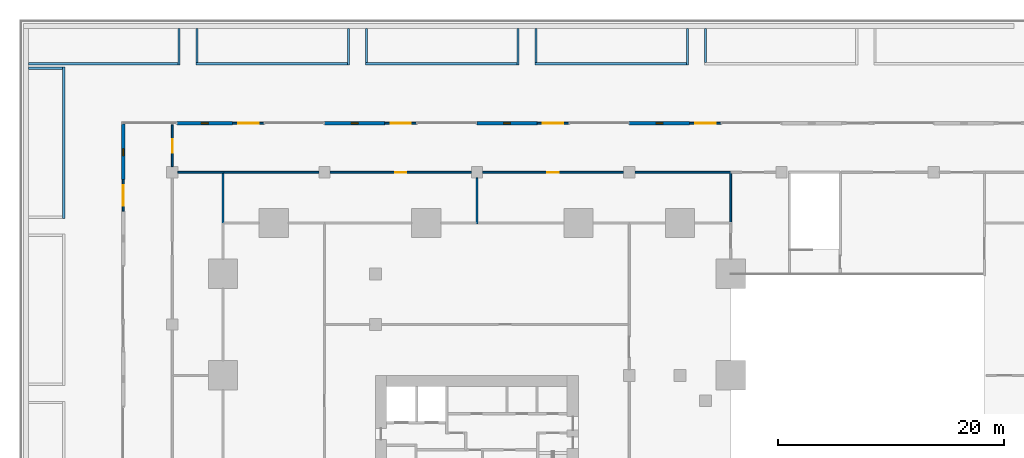
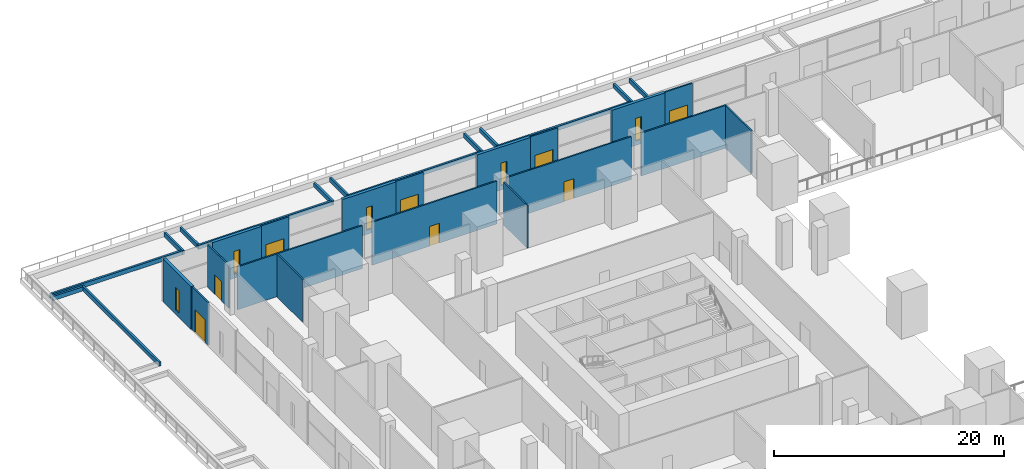
# One storey, part 38 of 49: 33 walls, 8 doors, 5 windows, 13 openings.
"""IFC4 building model written with IfcOpenShell, lengths in metres."""

from ifc_helpers import new_model, si_unit, direction, frame, frame_2d, origin, place, context, subcontext, project, spatial, rectangle, extrude, material, layer, layer_set, type_object, element, fill, save


model = new_model("IFC4")

# Units and contexts
model_context = context("Model", 3, precision=1e-05, world=origin(), true_north=direction((0.0, 1.0)))
body_context = subcontext(model_context, "Body", "Model", "MODEL_VIEW")
ifc_project = project(units=[si_unit("LENGTHUNIT", "METRE"), si_unit("AREAUNIT", "SQUARE_METRE"), si_unit("VOLUMEUNIT", "CUBIC_METRE"), si_unit("PLANEANGLEUNIT", "RADIAN"), si_unit("MASSUNIT", "GRAM", prefix="KILO")], contexts=[model_context])

# Site, building, storey
site_placement = place(None, origin())
site = spatial("IfcSite", under=ifc_project, at=site_placement, CompositionType="ELEMENT")
building_placement = place(site_placement, origin())
building = spatial("IfcBuilding", under=site, at=building_placement, Name="Altepetl Exchange Towers", CompositionType="ELEMENT")
storey_placement = place(building_placement, frame((0.0, 0.0, 11.5)))
storey = spatial("IfcBuildingStorey", under=building, at=storey_placement, Name="L02 Exchange podium", CompositionType="ELEMENT", Elevation=11.5)

# Wall, opening, door
ifc_material_1 = material(Name="Aluminium composite cladding", Category="aluminium")
ifc_layer_1 = layer(ifc_material_1, 0.14990234375)
ifc_layer_set_1 = layer_set([ifc_layer_1], Name="Aluminium composite cladding")
wall_type_1 = type_object("IfcWallType", Name="Infill wall 150 aluminium panel", PredefinedType="SOLIDWALL", material=ifc_layer_set_1)
wall_1_placement = place(storey_placement, frame((71.14990234375, 80.85009765625, 0.0), z_axis=(0.0, 0.0, 1.0), x_axis=(-1.0, 0.0, 0.0)))
wall_1 = element("IfcWall", 1, at=wall_1_placement, inside=storey, type_object=wall_type_1, Name="Door bay wall", PredefinedType="SOLIDWALL", context=body_context, shape_type="SweptSolid", body=[
    extrude(rectangle(XDim=2.7998046875, YDim=0.14990234375, at=frame_2d((1.39990234375, 0.0))), origin(), (0.0, 0.0, 1.0), 4.550048828125),
])
opening_1_placement = place(wall_1_placement, frame((0.5, 0.0, 0.0)))
opening_1 = element("IfcOpeningElement", 2, at=opening_1_placement, cuts=wall_1, Name="Opening L02.E22", PredefinedType="OPENING", context=body_context, shape_type="SweptSolid", body=[
    extrude(rectangle(XDim=1.800048828125, YDim=2.39990234375, at=frame_2d((0.89990234375, 1.199951171875))), frame((0.0, 0.0849609375, 0.0), z_axis=(0.0, -1.0, 0.0), x_axis=(1.0, 0.0, 0.0)), (0.0, 0.0, 1.0), 0.169921875),
])
ifc_material_2 = material(Name="Aluminium 6063-T6 and glass", Category="aluminium")
door_type_1 = type_object("IfcDoorType", Name="Glazed door pair 1800x2400", OperationType="DOUBLE_DOOR_DOUBLE_SWING", PredefinedType="NOTDEFINED", material=ifc_material_2)
door_1_placement = place(opening_1_placement, frame((1.800048828125, 0.0, 0.0), x_axis=(-1.0, 0.0, 0.0)))
door_1 = element("IfcDoor", 3, at=door_1_placement, inside=storey, type_object=door_type_1, Name="Terrace door", OperationType="DOUBLE_DOOR_DOUBLE_SWING", OverallHeight=2.39990234375, OverallWidth=1.800048828125, PredefinedType="NOTDEFINED", context=body_context, shape_type="SweptSolid", body=[
    extrude(rectangle(XDim=1.800048828125, YDim=2.39990234375, at=frame_2d((0.89990234375, 1.199951171875))), frame((0.0, 0.02490234375, 0.0), z_axis=(0.0, -1.0, 0.0), x_axis=(1.0, 0.0, 0.0)), (0.0, 0.0, 1.0), 0.050048828125),
])
fill(opening_1, door_1)

wall_2_placement = place(storey_placement, frame((57.64990234375, 80.85009765625, 0.0), z_axis=(0.0, 0.0, 1.0), x_axis=(-1.0, 0.0, 0.0)))
wall_2 = element("IfcWall", 4, at=wall_2_placement, inside=storey, type_object=wall_type_1, Name="Door bay wall", PredefinedType="SOLIDWALL", context=body_context, shape_type="SweptSolid", body=[
    extrude(rectangle(XDim=2.7998046875, YDim=0.14990234375, at=frame_2d((1.39990234375, 0.0))), origin(), (0.0, 0.0, 1.0), 4.550048828125),
])
opening_2_placement = place(wall_2_placement, frame((0.5, 0.0, 0.0)))
opening_2 = element("IfcOpeningElement", 5, at=opening_2_placement, cuts=wall_2, Name="Opening L02.E21", PredefinedType="OPENING", context=body_context, shape_type="SweptSolid", body=[
    extrude(rectangle(XDim=1.800048828125, YDim=2.39990234375, at=frame_2d((0.89990234375, 1.199951171875))), frame((0.0, 0.0849609375, 0.0), z_axis=(0.0, -1.0, 0.0), x_axis=(1.0, 0.0, 0.0)), (0.0, 0.0, 1.0), 0.169921875),
])
door_2_placement = place(opening_2_placement, frame((1.800048828125, 0.0, 0.0), x_axis=(-1.0, 0.0, 0.0)))
door_2 = element("IfcDoor", 6, at=door_2_placement, inside=storey, type_object=door_type_1, Name="Terrace door", OperationType="DOUBLE_DOOR_DOUBLE_SWING", OverallHeight=2.39990234375, OverallWidth=1.800048828125, PredefinedType="NOTDEFINED", context=body_context, shape_type="SweptSolid", body=[
    extrude(rectangle(XDim=1.800048828125, YDim=2.39990234375, at=frame_2d((0.89990234375, 1.199951171875))), frame((0.0, 0.02490234375, 0.0), z_axis=(0.0, -1.0, 0.0), x_axis=(1.0, 0.0, 0.0)), (0.0, 0.0, 1.0), 0.050048828125),
])
fill(opening_2, door_2)

wall_3_placement = place(storey_placement, frame((44.14990234375, 80.85009765625, 0.0), z_axis=(0.0, 0.0, 1.0), x_axis=(-1.0, 0.0, 0.0)))
wall_3 = element("IfcWall", 7, at=wall_3_placement, inside=storey, type_object=wall_type_1, Name="Door bay wall", PredefinedType="SOLIDWALL", context=body_context, shape_type="SweptSolid", body=[
    extrude(rectangle(XDim=2.7998046875, YDim=0.14990234375, at=frame_2d((1.39990234375, 0.0))), origin(), (0.0, 0.0, 1.0), 4.550048828125),
])
opening_3_placement = place(wall_3_placement, frame((0.5, 0.0, 0.0)))
opening_3 = element("IfcOpeningElement", 8, at=opening_3_placement, cuts=wall_3, Name="Opening L02.E20", PredefinedType="OPENING", context=body_context, shape_type="SweptSolid", body=[
    extrude(rectangle(XDim=1.800048828125, YDim=2.39990234375, at=frame_2d((0.89990234375, 1.199951171875))), frame((0.0, 0.0849609375, 0.0), z_axis=(0.0, -1.0, 0.0), x_axis=(1.0, 0.0, 0.0)), (0.0, 0.0, 1.0), 0.169921875),
])
door_3_placement = place(opening_3_placement, frame((1.800048828125, 0.0, 0.0), x_axis=(-1.0, 0.0, 0.0)))
door_3 = element("IfcDoor", 9, at=door_3_placement, inside=storey, type_object=door_type_1, Name="Terrace door", OperationType="DOUBLE_DOOR_DOUBLE_SWING", OverallHeight=2.39990234375, OverallWidth=1.800048828125, PredefinedType="NOTDEFINED", context=body_context, shape_type="SweptSolid", body=[
    extrude(rectangle(XDim=1.800048828125, YDim=2.39990234375, at=frame_2d((0.89990234375, 1.199951171875))), frame((0.0, 0.02490234375, 0.0), z_axis=(0.0, -1.0, 0.0), x_axis=(1.0, 0.0, 0.0)), (0.0, 0.0, 1.0), 0.050048828125),
])
fill(opening_3, door_3)

wall_4_placement = place(storey_placement, frame((30.64990234375, 80.85009765625, 0.0), z_axis=(0.0, 0.0, 1.0), x_axis=(-1.0, 0.0, 0.0)))
wall_4 = element("IfcWall", 10, at=wall_4_placement, inside=storey, type_object=wall_type_1, Name="Door bay wall", PredefinedType="SOLIDWALL", context=body_context, shape_type="SweptSolid", body=[
    extrude(rectangle(XDim=2.7998046875, YDim=0.14990234375, at=frame_2d((1.39990234375, 0.0))), origin(), (0.0, 0.0, 1.0), 4.550048828125),
])
opening_4_placement = place(wall_4_placement, frame((0.5, 0.0, 0.0)))
opening_4 = element("IfcOpeningElement", 11, at=opening_4_placement, cuts=wall_4, Name="Opening L02.E19", PredefinedType="OPENING", context=body_context, shape_type="SweptSolid", body=[
    extrude(rectangle(XDim=1.800048828125, YDim=2.39990234375, at=frame_2d((0.89990234375, 1.199951171875))), frame((0.0, 0.0849609375, 0.0), z_axis=(0.0, -1.0, 0.0), x_axis=(1.0, 0.0, 0.0)), (0.0, 0.0, 1.0), 0.169921875),
])
door_4_placement = place(opening_4_placement, frame((1.800048828125, 0.0, 0.0), x_axis=(-1.0, 0.0, 0.0)))
door_4 = element("IfcDoor", 12, at=door_4_placement, inside=storey, type_object=door_type_1, Name="Terrace door", OperationType="DOUBLE_DOOR_DOUBLE_SWING", OverallHeight=2.39990234375, OverallWidth=1.800048828125, PredefinedType="NOTDEFINED", context=body_context, shape_type="SweptSolid", body=[
    extrude(rectangle(XDim=1.800048828125, YDim=2.39990234375, at=frame_2d((0.89990234375, 1.199951171875))), frame((0.0, 0.02490234375, 0.0), z_axis=(0.0, -1.0, 0.0), x_axis=(1.0, 0.0, 0.0)), (0.0, 0.0, 1.0), 0.050048828125),
])
fill(opening_4, door_4)

wall_5_placement = place(storey_placement, frame((18.14990234375, 75.85009765625, 0.0), z_axis=(0.0, 0.0, 1.0), x_axis=(0.0, -1.0, 0.0)))
wall_5 = element("IfcWall", 13, at=wall_5_placement, inside=storey, type_object=wall_type_1, Name="Door bay wall", PredefinedType="SOLIDWALL", context=body_context, shape_type="SweptSolid", body=[
    extrude(rectangle(XDim=2.800048828125, YDim=0.14990234375, at=frame_2d((1.39990234375, 0.0))), origin(), (0.0, 0.0, 1.0), 4.550048828125),
])
opening_5_placement = place(wall_5_placement, frame((0.5, 0.0, 0.0)))
opening_5 = element("IfcOpeningElement", 14, at=opening_5_placement, cuts=wall_5, Name="Opening L02.E05", PredefinedType="OPENING", context=body_context, shape_type="SweptSolid", body=[
    extrude(rectangle(XDim=1.800048828125, YDim=2.39990234375, at=frame_2d((0.89990234375, 1.199951171875))), frame((0.0, 0.0849609375, 0.0), z_axis=(0.0, -1.0, 0.0), x_axis=(1.0, 0.0, 0.0)), (0.0, 0.0, 1.0), 0.169921875),
])
door_5_placement = place(opening_5_placement, frame((1.800048828125, 0.0, 0.0), x_axis=(-1.0, 0.0, 0.0)))
door_5 = element("IfcDoor", 15, at=door_5_placement, inside=storey, type_object=door_type_1, Name="Terrace door", OperationType="DOUBLE_DOOR_DOUBLE_SWING", OverallHeight=2.39990234375, OverallWidth=1.800048828125, PredefinedType="NOTDEFINED", context=body_context, shape_type="SweptSolid", body=[
    extrude(rectangle(XDim=1.800048828125, YDim=2.39990234375, at=frame_2d((0.89990234375, 1.199951171875))), frame((0.0, 0.02490234375, 0.0), z_axis=(0.0, -1.0, 0.0), x_axis=(1.0, 0.0, 0.0)), (0.0, 0.0, 1.0), 0.050048828125),
])
fill(opening_5, door_5)

# Walls
ifc_material_3 = material(Name="Reinforced concrete C35/45", Category="concrete")
ifc_layer_2 = layer(ifc_material_3, 0.199951171875)
ifc_layer_set_2 = layer_set([ifc_layer_2], Name="Reinforced concrete C35/45")
wall_type_2 = type_object("IfcWallType", Name="Planting bed curb 200", PredefinedType="SOLIDWALL", material=ifc_layer_set_2)
wall_6_placement = place(storey_placement, frame((23.095703125, 86.02490234375, 0.0), z_axis=(0.0, 0.0, 1.0), x_axis=(0.0, 1.0, 0.0)))
element("IfcWall", 16, at=wall_6_placement, inside=storey, type_object=wall_type_2, Name="wall:P:L02:CB13e", PredefinedType="SOLIDWALL", context=body_context, shape_type="SweptSolid", body=[
    extrude(rectangle(XDim=3.2001953125, YDim=0.199951171875, at=frame_2d((1.60009765625, 0.0))), origin(), (0.0, 0.0, 1.0), 0.449951171875),
])
wall_7_placement = place(storey_placement, frame((9.77490234375, 86.125, 0.0)))
element("IfcWall", 17, at=wall_7_placement, inside=storey, type_object=wall_type_2, Name="wall:P:L02:CB13s", PredefinedType="SOLIDWALL", context=body_context, shape_type="SweptSolid", body=[
    extrude(rectangle(XDim=13.220947265625, YDim=0.199951171875, at=frame_2d((6.6103515625, 0.0))), origin(), (0.0, 0.0, 1.0), 0.449951171875),
])
wall_8_placement = place(storey_placement, frame((38.11669921875, 86.02490234375, 0.0), z_axis=(0.0, 0.0, 1.0), x_axis=(0.0, 1.0, 0.0)))
element("IfcWall", 18, at=wall_8_placement, inside=storey, type_object=wall_type_2, Name="wall:P:L02:CB14e", PredefinedType="SOLIDWALL", context=body_context, shape_type="SweptSolid", body=[
    extrude(rectangle(XDim=3.2001953125, YDim=0.199951171875, at=frame_2d((1.60009765625, 0.0))), origin(), (0.0, 0.0, 1.0), 0.449951171875),
])
wall_9_placement = place(storey_placement, frame((24.595703125, 86.125, 0.0)))
element("IfcWall", 19, at=wall_9_placement, inside=storey, type_object=wall_type_2, Name="wall:P:L02:CB14s", PredefinedType="SOLIDWALL", context=body_context, shape_type="SweptSolid", body=[
    extrude(rectangle(XDim=13.4208984375, YDim=0.199951171875, at=frame_2d((6.71044921875, 0.0))), origin(), (0.0, 0.0, 1.0), 0.449951171875),
])
wall_10_placement = place(storey_placement, frame((24.69580078125, 86.22509765625, 0.0), z_axis=(0.0, 0.0, 1.0), x_axis=(0.0, 1.0, 0.0)))
element("IfcWall", 20, at=wall_10_placement, inside=storey, type_object=wall_type_2, Name="wall:P:L02:CB14w", PredefinedType="SOLIDWALL", context=body_context, shape_type="SweptSolid", body=[
    extrude(rectangle(XDim=3.0, YDim=0.199951171875, at=frame_2d((1.5, 0.0))), origin(), (0.0, 0.0, 1.0), 0.449951171875),
])
wall_11_placement = place(storey_placement, frame((53.137451171875, 86.02490234375, 0.0), z_axis=(0.0, 0.0, 1.0), x_axis=(0.0, 1.0, 0.0)))
element("IfcWall", 21, at=wall_11_placement, inside=storey, type_object=wall_type_2, Name="wall:P:L02:CB15e", PredefinedType="SOLIDWALL", context=body_context, shape_type="SweptSolid", body=[
    extrude(rectangle(XDim=3.2001953125, YDim=0.199951171875, at=frame_2d((1.60009765625, 0.0))), origin(), (0.0, 0.0, 1.0), 0.449951171875),
])
wall_12_placement = place(storey_placement, frame((39.61669921875, 86.125, 0.0)))
element("IfcWall", 22, at=wall_12_placement, inside=storey, type_object=wall_type_2, Name="wall:P:L02:CB15s", PredefinedType="SOLIDWALL", context=body_context, shape_type="SweptSolid", body=[
    extrude(rectangle(XDim=13.4208984375, YDim=0.199951171875, at=frame_2d((6.71044921875, 0.0))), origin(), (0.0, 0.0, 1.0), 0.449951171875),
])
wall_13_placement = place(storey_placement, frame((39.716796875, 86.22509765625, 0.0), z_axis=(0.0, 0.0, 1.0), x_axis=(0.0, 1.0, 0.0)))
element("IfcWall", 23, at=wall_13_placement, inside=storey, type_object=wall_type_2, Name="wall:P:L02:CB15w", PredefinedType="SOLIDWALL", context=body_context, shape_type="SweptSolid", body=[
    extrude(rectangle(XDim=3.0, YDim=0.199951171875, at=frame_2d((1.5, 0.0))), origin(), (0.0, 0.0, 1.0), 0.449951171875),
])
wall_14_placement = place(storey_placement, frame((68.158203125, 86.02490234375, 0.0), z_axis=(0.0, 0.0, 1.0), x_axis=(0.0, 1.0, 0.0)))
element("IfcWall", 24, at=wall_14_placement, inside=storey, type_object=wall_type_2, Name="wall:P:L02:CB16e", PredefinedType="SOLIDWALL", context=body_context, shape_type="SweptSolid", body=[
    extrude(rectangle(XDim=3.2001953125, YDim=0.199951171875, at=frame_2d((1.60009765625, 0.0))), origin(), (0.0, 0.0, 1.0), 0.449951171875),
])
wall_15_placement = place(storey_placement, frame((54.637451171875, 86.125, 0.0)))
element("IfcWall", 25, at=wall_15_placement, inside=storey, type_object=wall_type_2, Name="wall:P:L02:CB16s", PredefinedType="SOLIDWALL", context=body_context, shape_type="SweptSolid", body=[
    extrude(rectangle(XDim=13.4208984375, YDim=0.199951171875, at=frame_2d((6.71044921875, 0.0))), origin(), (0.0, 0.0, 1.0), 0.449951171875),
])
for number, where, z_axis, x_axis, name in (
    (26, (54.737548828125, 86.22509765625, 0.0), (0.0, 0.0, 1.0), (0.0, 1.0, 0.0), "wall:P:L02:CB16w"),
    (27, (69.75830078125, 86.22509765625, 0.0), (0.0, 0.0, 1.0), (0.0, 1.0, 0.0), "wall:P:L02:CB17w"),
):
    element("IfcWall", number, at=place(storey_placement, frame(where, z_axis=z_axis, x_axis=x_axis)), inside=storey, type_object=wall_type_2, Name=name, PredefinedType="SOLIDWALL", context=body_context, shape_type="SweptSolid", body=[
        extrude(rectangle(XDim=3.0, YDim=0.199951171875, at=frame_2d((1.5, 0.0))), origin(), (0.0, 0.0, 1.0), 0.449951171875),
    ])
wall_16_placement = place(storey_placement, frame((12.875, 72.4150390625, 0.0), z_axis=(0.0, 0.0, 1.0), x_axis=(0.0, 1.0, 0.0)))
element("IfcWall", 28, at=wall_16_placement, inside=storey, type_object=wall_type_2, Name="wall:P:L02:CB23e", PredefinedType="SOLIDWALL", context=body_context, shape_type="SweptSolid", body=[
    extrude(rectangle(XDim=13.409912109375, YDim=0.199951171875, at=frame_2d((6.705078125, 0.0))), origin(), (0.0, 0.0, 1.0), 0.449951171875),
])
wall_17_placement = place(storey_placement, frame((9.77490234375, 85.72509765625, 0.0)))
element("IfcWall", 29, at=wall_17_placement, inside=storey, type_object=wall_type_2, Name="wall:P:L02:CB23n", PredefinedType="SOLIDWALL", context=body_context, shape_type="SweptSolid", body=[
    extrude(rectangle(XDim=3.0, YDim=0.199951171875, at=frame_2d((1.5, 0.0))), origin(), (0.0, 0.0, 1.0), 0.449951171875),
])

# Wall, opening, door
ifc_material_4 = material(Name="Gypsum board on steel studs", Category="steel")
ifc_layer_3 = layer(ifc_material_4, 0.14990234375)
ifc_layer_set_3 = layer_set([ifc_layer_3], Name="Gypsum board on steel studs")
wall_type_3 = type_object("IfcWallType", Name="Podium partition 150", PredefinedType="PARTITIONING", material=ifc_layer_set_3)
wall_18_placement = place(storey_placement, frame((22.5, 76.9951171875, 0.0), z_axis=(0.0, 0.0, 1.0), x_axis=(0.0, 1.0, 0.0)))
wall_18 = element("IfcWall", 30, at=wall_18_placement, inside=storey, type_object=wall_type_3, Name="wall:P:L02:P002", PredefinedType="PARTITIONING", context=body_context, shape_type="SweptSolid", body=[
    extrude(rectangle(XDim=3.704833984375, YDim=0.14990234375, at=frame_2d((1.8525390625, 0.0))), origin(), (0.0, 0.0, 1.0), 4.550048828125),
])
opening_6_placement = place(wall_18_placement, frame((1.25, 0.0, 0.0)))
opening_6 = element("IfcOpeningElement", 31, at=opening_6_placement, cuts=wall_18, Name="Opening L02.P026", PredefinedType="OPENING", context=body_context, shape_type="SweptSolid", body=[
    extrude(rectangle(XDim=1.199951171875, YDim=2.10009765625, at=frame_2d((0.60009765625, 1.050048828125))), frame((0.0, 0.0849609375, 0.0), z_axis=(0.0, -1.0, 0.0), x_axis=(1.0, 0.0, 0.0)), (0.0, 0.0, 1.0), 0.169921875),
])
ifc_material_5 = material(Name="Steel fire door", Category="steel")
door_type_2 = type_object("IfcDoorType", Name="Podium fire door 1200 x 2100 double leaf", OperationType="DOUBLE_DOOR_SINGLE_SWING", PredefinedType="DOOR", material=ifc_material_5)
door_6_placement = place(opening_6_placement, origin())
door_6 = element("IfcDoor", 32, at=door_6_placement, inside=storey, type_object=door_type_2, Name="door:P:L02:026", OperationType="DOUBLE_DOOR_SINGLE_SWING", OverallHeight=2.10009765625, OverallWidth=1.199951171875, PredefinedType="DOOR", context=body_context, shape_type="SweptSolid", body=[
    extrude(rectangle(XDim=1.199951171875, YDim=2.10009765625, at=frame_2d((0.60009765625, 1.050048828125))), frame((0.0, 0.02490234375, 0.0), z_axis=(0.0, -1.0, 0.0), x_axis=(1.0, 0.0, 0.0)), (0.0, 0.0, 1.0), 0.050048828125),
])
fill(opening_6, door_6)

# Walls
wall_19_placement = place(storey_placement, frame((22.9951171875, 76.5, 0.0)))
element("IfcWall", 33, at=wall_19_placement, inside=storey, type_object=wall_type_3, Name="wall:P:L02:P032", PredefinedType="PARTITIONING", context=body_context, shape_type="SweptSolid", body=[
    extrude(rectangle(XDim=4.079833984375, YDim=0.14990234375, at=frame_2d((2.0400390625, 0.0))), origin(), (0.0, 0.0, 1.0), 4.550048828125),
])
wall_20_placement = place(storey_placement, frame((27.0, 76.5, 0.0)))
element("IfcWall", 34, at=wall_20_placement, inside=storey, type_object=wall_type_3, Name="wall:P:L02:P033", PredefinedType="PARTITIONING", context=body_context, shape_type="SweptSolid", body=[
    extrude(rectangle(XDim=8.5048828125, YDim=0.14990234375, at=frame_2d((4.25244140625, 0.0))), origin(), (0.0, 0.0, 1.0), 4.550048828125),
])

# Wall, opening, door
wall_21_placement = place(storey_placement, frame((36.4951171875, 76.5, 0.0)))
wall_21 = element("IfcWall", 35, at=wall_21_placement, inside=storey, type_object=wall_type_3, Name="wall:P:L02:P034", PredefinedType="PARTITIONING", context=body_context, shape_type="SweptSolid", body=[
    extrude(rectangle(XDim=12.509765625, YDim=0.14990234375, at=frame_2d((6.2548828125, 0.0))), origin(), (0.0, 0.0, 1.0), 4.550048828125),
])
opening_7_placement = place(wall_21_placement, frame((5.75, 0.0, 0.0)))
opening_7 = element("IfcOpeningElement", 36, at=opening_7_placement, cuts=wall_21, Name="Opening L02.P006", PredefinedType="OPENING", context=body_context, shape_type="SweptSolid", body=[
    extrude(rectangle(XDim=1.0, YDim=2.10009765625, at=frame_2d((0.5, 1.050048828125))), frame((0.0, 0.0849609375, 0.0), z_axis=(0.0, -1.0, 0.0), x_axis=(1.0, 0.0, 0.0)), (0.0, 0.0, 1.0), 0.169921875),
])
ifc_material_6 = material(Name="Steel and timber fire door", Category="steel")
door_type_3 = type_object("IfcDoorType", Name="Podium fire door 1000 x 2100 single leaf", OperationType="SINGLE_SWING_LEFT", PredefinedType="DOOR", material=ifc_material_6)
door_7_placement = place(opening_7_placement, frame((1.0, 0.0, 0.0), x_axis=(-1.0, 0.0, 0.0)))
door_7 = element("IfcDoor", 37, at=door_7_placement, inside=storey, type_object=door_type_3, Name="door:P:L02:006", OperationType="SINGLE_SWING_LEFT", OverallHeight=2.10009765625, OverallWidth=1.0, PredefinedType="DOOR", context=body_context, shape_type="SweptSolid", body=[
    extrude(rectangle(XDim=1.0, YDim=2.10009765625, at=frame_2d((0.5, 1.050048828125))), frame((0.0, 0.02490234375, 0.0), z_axis=(0.0, -1.0, 0.0), x_axis=(1.0, 0.0, 0.0)), (0.0, 0.0, 1.0), 0.050048828125),
])
fill(opening_7, door_7)

wall_22_placement = place(storey_placement, frame((49.9951171875, 76.5, 0.0)))
wall_22 = element("IfcWall", 38, at=wall_22_placement, inside=storey, type_object=wall_type_3, Name="wall:P:L02:P035", PredefinedType="PARTITIONING", context=body_context, shape_type="SweptSolid", body=[
    extrude(rectangle(XDim=12.509765625, YDim=0.14990234375, at=frame_2d((6.2548828125, 0.0))), origin(), (0.0, 0.0, 1.0), 4.550048828125),
])
opening_8_placement = place(wall_22_placement, frame((5.75, 0.0, 0.0)))
opening_8 = element("IfcOpeningElement", 39, at=opening_8_placement, cuts=wall_22, Name="Opening L02.P007", PredefinedType="OPENING", context=body_context, shape_type="SweptSolid", body=[
    extrude(rectangle(XDim=1.0, YDim=2.10009765625, at=frame_2d((0.5, 1.050048828125))), frame((0.0, 0.0849609375, 0.0), z_axis=(0.0, -1.0, 0.0), x_axis=(1.0, 0.0, 0.0)), (0.0, 0.0, 1.0), 0.169921875),
])
door_8_placement = place(opening_8_placement, frame((1.0, 0.0, 0.0), x_axis=(-1.0, 0.0, 0.0)))
door_8 = element("IfcDoor", 40, at=door_8_placement, inside=storey, type_object=door_type_3, Name="door:P:L02:007", OperationType="SINGLE_SWING_LEFT", OverallHeight=2.10009765625, OverallWidth=1.0, PredefinedType="DOOR", context=body_context, shape_type="SweptSolid", body=[
    extrude(rectangle(XDim=1.0, YDim=2.10009765625, at=frame_2d((0.5, 1.050048828125))), frame((0.0, 0.02490234375, 0.0), z_axis=(0.0, -1.0, 0.0), x_axis=(1.0, 0.0, 0.0)), (0.0, 0.0, 1.0), 0.050048828125),
])
fill(opening_8, door_8)

# Walls
wall_23_placement = place(storey_placement, frame((63.4951171875, 76.5, 0.0)))
element("IfcWall", 41, at=wall_23_placement, inside=storey, type_object=wall_type_3, Name="wall:P:L02:P036", PredefinedType="PARTITIONING", context=body_context, shape_type="SweptSolid", body=[
    extrude(rectangle(XDim=8.579833984375, YDim=0.14990234375, at=frame_2d((4.2900390625, 0.0))), origin(), (0.0, 0.0, 1.0), 4.550048828125),
])
wall_24_placement = place(storey_placement, frame((27.0, 71.925048828125, 0.0), z_axis=(0.0, 0.0, 1.0), x_axis=(0.0, 1.0, 0.0)))
element("IfcWall", 42, at=wall_24_placement, inside=storey, type_object=wall_type_3, Name="wall:P:L02:P057", PredefinedType="PARTITIONING", context=body_context, shape_type="SweptSolid", body=[
    extrude(rectangle(XDim=4.5, YDim=0.14990234375, at=frame_2d((2.25, 0.0))), origin(), (0.0, 0.0, 1.0), 4.550048828125),
])
wall_25_placement = place(storey_placement, frame((49.5, 71.925048828125, 0.0), z_axis=(0.0, 0.0, 1.0), x_axis=(0.0, 1.0, 0.0)))
element("IfcWall", 43, at=wall_25_placement, inside=storey, type_object=wall_type_3, Name="wall:P:L02:P070", PredefinedType="PARTITIONING", context=body_context, shape_type="SweptSolid", body=[
    extrude(rectangle(XDim=4.079833984375, YDim=0.14990234375, at=frame_2d((2.0400390625, 0.0))), origin(), (0.0, 0.0, 1.0), 4.550048828125),
])
wall_26_placement = place(storey_placement, frame((72.0, 72.0, 0.0), z_axis=(0.0, 0.0, 1.0), x_axis=(0.0, 1.0, 0.0)))
element("IfcWall", 44, at=wall_26_placement, inside=storey, type_object=wall_type_3, Name="wall:P:L02:P079", PredefinedType="PARTITIONING", context=body_context, shape_type="SweptSolid", body=[
    extrude(rectangle(XDim=4.425048828125, YDim=0.14990234375, at=frame_2d((2.21240234375, 0.0))), origin(), (0.0, 0.0, 1.0), 4.550048828125),
])

# Wall, opening, window
ifc_material_7 = material(Name="Cantera limestone cladding", Category="masonry")
ifc_layer_4 = layer(ifc_material_7, 0.300048828125)
ifc_layer_set_4 = layer_set([ifc_layer_4], Name="Cantera limestone cladding")
wall_type_4 = type_object("IfcWallType", Name="Stone wall panel 300", PredefinedType="ELEMENTEDWALL", material=ifc_layer_set_4)
wall_27_placement = place(storey_placement, frame((68.35009765625, 80.85009765625, 0.0), z_axis=(0.0, 0.0, 1.0), x_axis=(-1.0, 0.0, 0.0)))
wall_27 = element("IfcWall", 45, at=wall_27_placement, inside=storey, type_object=wall_type_4, Name="Stone wall panel", PredefinedType="ELEMENTEDWALL", context=body_context, shape_type="SweptSolid", body=[
    extrude(rectangle(XDim=5.35009765625, YDim=0.300048828125, at=frame_2d((2.675048828125, 0.0))), origin(), (0.0, 0.0, 1.0), 4.550048828125),
])
opening_9_placement = place(wall_27_placement, frame((2.375, 0.0, 0.449951171875)))
opening_9 = element("IfcOpeningElement", 46, at=opening_9_placement, cuts=wall_27, Name="Opening W3", PredefinedType="OPENING", context=body_context, shape_type="SweptSolid", body=[
    extrude(rectangle(XDim=0.60009765625, YDim=2.39990234375, at=frame_2d((0.300048828125, 1.199951171875))), frame((0.0, 0.16015625, 0.0), z_axis=(0.0, -1.0, 0.0), x_axis=(1.0, 0.0, 0.0)), (0.0, 0.0, 1.0), 0.320068359375),
])
window_type = type_object("IfcWindowType", Name="Tall slot window 600x2400", PartitioningType="SINGLE_PANEL", PredefinedType="WINDOW", material=ifc_material_2)
window_1_placement = place(opening_9_placement, origin())
window_1 = element("IfcWindow", 47, at=window_1_placement, inside=storey, type_object=window_type, Name="Window", OverallHeight=2.39990234375, OverallWidth=0.60009765625, PartitioningType="SINGLE_PANEL", PredefinedType="WINDOW", context=body_context, shape_type="SweptSolid", body=[
    extrude(rectangle(XDim=0.60009765625, YDim=2.39990234375, at=frame_2d((0.300048828125, 1.199951171875))), frame((0.0, 0.030029296875, 0.0), z_axis=(0.0, -1.0, 0.0), x_axis=(1.0, 0.0, 0.0)), (0.0, 0.0, 1.0), 0.06005859375),
])
fill(opening_9, window_1)

wall_28_placement = place(storey_placement, frame((54.85009765625, 80.85009765625, 0.0), z_axis=(0.0, 0.0, 1.0), x_axis=(-1.0, 0.0, 0.0)))
wall_28 = element("IfcWall", 48, at=wall_28_placement, inside=storey, type_object=wall_type_4, Name="Stone wall panel", PredefinedType="ELEMENTEDWALL", context=body_context, shape_type="SweptSolid", body=[
    extrude(rectangle(XDim=5.35009765625, YDim=0.300048828125, at=frame_2d((2.675048828125, 0.0))), origin(), (0.0, 0.0, 1.0), 4.550048828125),
])
opening_10_placement = place(wall_28_placement, frame((2.375, 0.0, 0.449951171875)))
opening_10 = element("IfcOpeningElement", 49, at=opening_10_placement, cuts=wall_28, Name="Opening W3", PredefinedType="OPENING", context=body_context, shape_type="SweptSolid", body=[
    extrude(rectangle(XDim=0.60009765625, YDim=2.39990234375, at=frame_2d((0.300048828125, 1.199951171875))), frame((0.0, 0.16015625, 0.0), z_axis=(0.0, -1.0, 0.0), x_axis=(1.0, 0.0, 0.0)), (0.0, 0.0, 1.0), 0.320068359375),
])
window_2_placement = place(opening_10_placement, origin())
window_2 = element("IfcWindow", 50, at=window_2_placement, inside=storey, type_object=window_type, Name="Window", OverallHeight=2.39990234375, OverallWidth=0.60009765625, PartitioningType="SINGLE_PANEL", PredefinedType="WINDOW", context=body_context, shape_type="SweptSolid", body=[
    extrude(rectangle(XDim=0.60009765625, YDim=2.39990234375, at=frame_2d((0.300048828125, 1.199951171875))), frame((0.0, 0.030029296875, 0.0), z_axis=(0.0, -1.0, 0.0), x_axis=(1.0, 0.0, 0.0)), (0.0, 0.0, 1.0), 0.06005859375),
])
fill(opening_10, window_2)

wall_29_placement = place(storey_placement, frame((41.35009765625, 80.85009765625, 0.0), z_axis=(0.0, 0.0, 1.0), x_axis=(-1.0, 0.0, 0.0)))
wall_29 = element("IfcWall", 51, at=wall_29_placement, inside=storey, type_object=wall_type_4, Name="Stone wall panel", PredefinedType="ELEMENTEDWALL", context=body_context, shape_type="SweptSolid", body=[
    extrude(rectangle(XDim=5.35009765625, YDim=0.300048828125, at=frame_2d((2.675048828125, 0.0))), origin(), (0.0, 0.0, 1.0), 4.550048828125),
])
opening_11_placement = place(wall_29_placement, frame((2.375, 0.0, 0.449951171875)))
opening_11 = element("IfcOpeningElement", 52, at=opening_11_placement, cuts=wall_29, Name="Opening W3", PredefinedType="OPENING", context=body_context, shape_type="SweptSolid", body=[
    extrude(rectangle(XDim=0.60009765625, YDim=2.39990234375, at=frame_2d((0.300048828125, 1.199951171875))), frame((0.0, 0.16015625, 0.0), z_axis=(0.0, -1.0, 0.0), x_axis=(1.0, 0.0, 0.0)), (0.0, 0.0, 1.0), 0.320068359375),
])
window_3_placement = place(opening_11_placement, origin())
window_3 = element("IfcWindow", 53, at=window_3_placement, inside=storey, type_object=window_type, Name="Window", OverallHeight=2.39990234375, OverallWidth=0.60009765625, PartitioningType="SINGLE_PANEL", PredefinedType="WINDOW", context=body_context, shape_type="SweptSolid", body=[
    extrude(rectangle(XDim=0.60009765625, YDim=2.39990234375, at=frame_2d((0.300048828125, 1.199951171875))), frame((0.0, 0.030029296875, 0.0), z_axis=(0.0, -1.0, 0.0), x_axis=(1.0, 0.0, 0.0)), (0.0, 0.0, 1.0), 0.06005859375),
])
fill(opening_11, window_3)

wall_30_placement = place(storey_placement, frame((27.85009765625, 80.85009765625, 0.0), z_axis=(0.0, 0.0, 1.0), x_axis=(-1.0, 0.0, 0.0)))
wall_30 = element("IfcWall", 54, at=wall_30_placement, inside=storey, type_object=wall_type_4, Name="Stone wall panel", PredefinedType="ELEMENTEDWALL", context=body_context, shape_type="SweptSolid", body=[
    extrude(rectangle(XDim=4.925048828125, YDim=0.300048828125, at=frame_2d((2.46240234375, 0.0))), origin(), (0.0, 0.0, 1.0), 4.550048828125),
])
opening_12_placement = place(wall_30_placement, frame((2.16259765625, 0.0, 0.449951171875)))
opening_12 = element("IfcOpeningElement", 55, at=opening_12_placement, cuts=wall_30, Name="Opening W3", PredefinedType="OPENING", context=body_context, shape_type="SweptSolid", body=[
    extrude(rectangle(XDim=0.60009765625, YDim=2.39990234375, at=frame_2d((0.300048828125, 1.199951171875))), frame((0.0, 0.16015625, 0.0), z_axis=(0.0, -1.0, 0.0), x_axis=(1.0, 0.0, 0.0)), (0.0, 0.0, 1.0), 0.320068359375),
])
window_4_placement = place(opening_12_placement, origin())
window_4 = element("IfcWindow", 56, at=window_4_placement, inside=storey, type_object=window_type, Name="Window", OverallHeight=2.39990234375, OverallWidth=0.60009765625, PartitioningType="SINGLE_PANEL", PredefinedType="WINDOW", context=body_context, shape_type="SweptSolid", body=[
    extrude(rectangle(XDim=0.60009765625, YDim=2.39990234375, at=frame_2d((0.300048828125, 1.199951171875))), frame((0.0, 0.030029296875, 0.0), z_axis=(0.0, -1.0, 0.0), x_axis=(1.0, 0.0, 0.0)), (0.0, 0.0, 1.0), 0.06005859375),
])
fill(opening_12, window_4)

wall_31_placement = place(storey_placement, frame((18.14990234375, 80.762451171875, 0.0), z_axis=(0.0, 0.0, 1.0), x_axis=(0.0, -1.0, 0.0)))
wall_31 = element("IfcWall", 57, at=wall_31_placement, inside=storey, type_object=wall_type_4, Name="Stone wall panel", PredefinedType="ELEMENTEDWALL", context=body_context, shape_type="SweptSolid", body=[
    extrude(rectangle(XDim=4.912353515625, YDim=0.300048828125, at=frame_2d((2.4560546875, 0.0))), origin(), (0.0, 0.0, 1.0), 4.550048828125),
])
opening_13_placement = place(wall_31_placement, frame((2.1875, 0.0, 0.449951171875)))
opening_13 = element("IfcOpeningElement", 58, at=opening_13_placement, cuts=wall_31, Name="Opening W3", PredefinedType="OPENING", context=body_context, shape_type="SweptSolid", body=[
    extrude(rectangle(XDim=0.60009765625, YDim=2.39990234375, at=frame_2d((0.300048828125, 1.199951171875))), frame((0.0, 0.16015625, 0.0), z_axis=(0.0, -1.0, 0.0), x_axis=(1.0, 0.0, 0.0)), (0.0, 0.0, 1.0), 0.320068359375),
])
window_5_placement = place(opening_13_placement, origin())
window_5 = element("IfcWindow", 59, at=window_5_placement, inside=storey, type_object=window_type, Name="Window", OverallHeight=2.39990234375, OverallWidth=0.60009765625, PartitioningType="SINGLE_PANEL", PredefinedType="WINDOW", context=body_context, shape_type="SweptSolid", body=[
    extrude(rectangle(XDim=0.60009765625, YDim=2.39990234375, at=frame_2d((0.300048828125, 1.199951171875))), frame((0.0, 0.030029296875, 0.0), z_axis=(0.0, -1.0, 0.0), x_axis=(1.0, 0.0, 0.0)), (0.0, 0.0, 1.0), 0.06005859375),
])
fill(opening_13, window_5)

save(model, "model.ifc")
